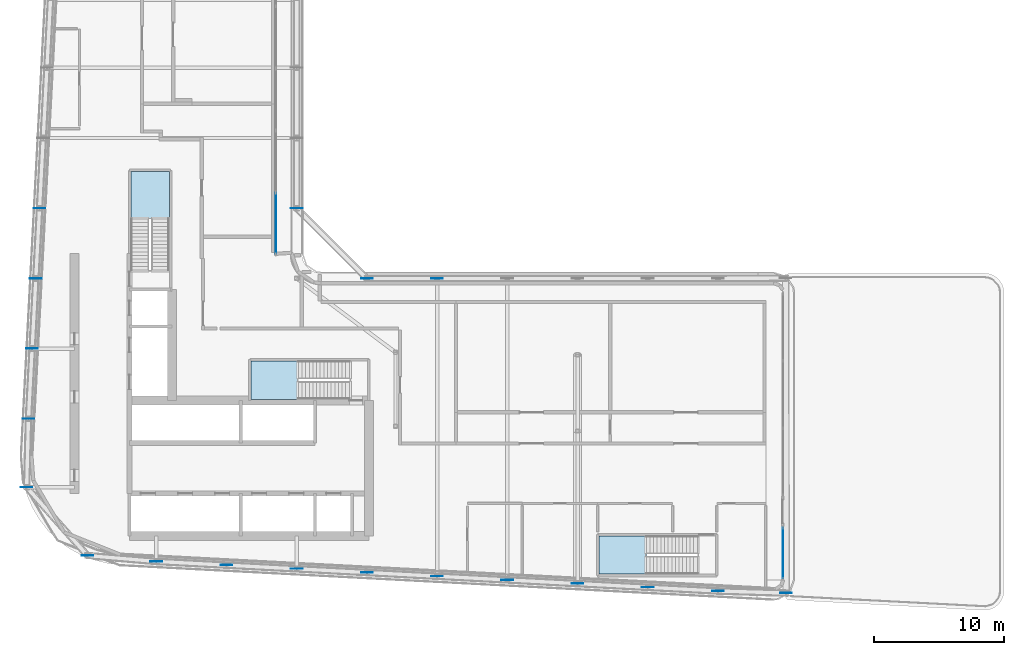
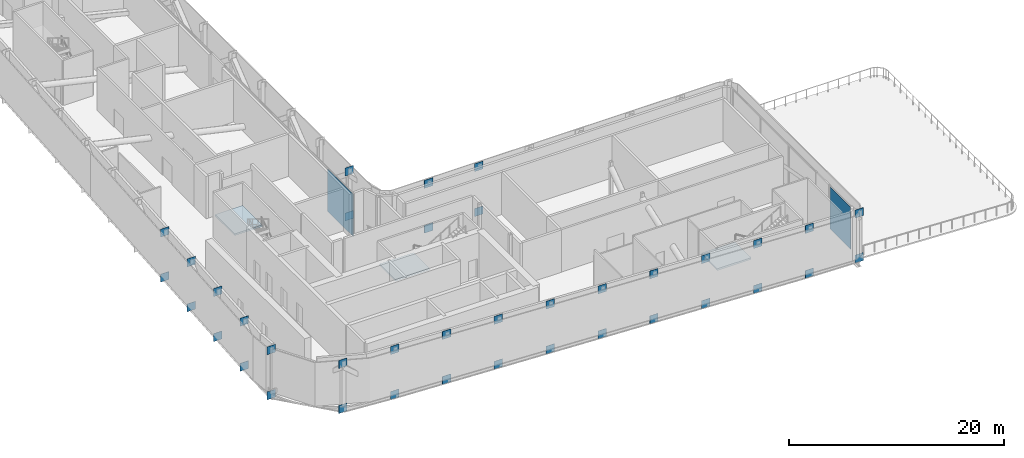
# One storey, part 8 of 23: 40 plates, 3 slabs, 5 elements without a shape of their own.
"""IFC4 building model written with IfcOpenShell, lengths in metres."""

from ifc_helpers import new_model, si_unit, direction, frame, origin, origin_2d, place, context, subcontext, project, spatial, polyline, rectangle, outline, extrude, material, layer, layer_set, type_object, element, aggregate, save


model = new_model("IFC4")

# Units and contexts
model_context = context("Model", 3, precision=1e-05, world=origin(), true_north=direction((0.0, 1.0)))
body_context = subcontext(model_context, "Body", "Model", "MODEL_VIEW")
ifc_project = project(units=[si_unit("LENGTHUNIT", "METRE"), si_unit("AREAUNIT", "SQUARE_METRE"), si_unit("VOLUMEUNIT", "CUBIC_METRE"), si_unit("PLANEANGLEUNIT", "RADIAN"), si_unit("MASSUNIT", "GRAM", prefix="KILO")], contexts=[model_context])

# Site, building, storey
site_placement = place(None, origin())
site = spatial("IfcSite", under=ifc_project, at=site_placement, CompositionType="ELEMENT")
building_placement = place(site_placement, origin())
building = spatial("IfcBuilding", under=site, at=building_placement, Name="Kheshtan School and Residences Tower", CompositionType="ELEMENT")
storey_placement = place(building_placement, frame((0.0, 0.0, 211.10009765625)))
storey = spatial("IfcBuildingStorey", under=building, at=storey_placement, Name="L49", CompositionType="ELEMENT", Elevation=211.10009765625)

# Curtain wall, plate
ifc_material_1 = material(Name="Clear low-e glass in thermally broken aluminium frame", Category="aluminium")
ifc_layer_1 = layer(ifc_material_1, 0.25)
ifc_layer_set_1 = layer_set([ifc_layer_1], Name="Curtain wall CW-G")
curtain_wall_type = type_object("IfcCurtainWallType", Name="Curtain wall CW-G", PredefinedType="NOTDEFINED", material=ifc_layer_set_1)
curtain_wall_1_placement = place(storey_placement, origin())
curtain_wall_1 = element("IfcCurtainWall", 1, at=curtain_wall_1_placement, inside=storey, type_object=curtain_wall_type, Name="Curtain wall CWG3a", PredefinedType="NOTDEFINED")
ifc_material_2 = material(Name="Insulated terracotta infill panel", Category="masonry")
ifc_layer_2 = layer(ifc_material_2, 0.0380859375)
ifc_layer_set_2 = layer_set([ifc_layer_2], Name="CW-G insulated infill panel")
plate_type_1 = type_object("IfcPlateType", Name="CW-G insulated infill panel", PredefinedType="CURTAIN_PANEL", material=ifc_layer_set_2)
plate_1_placement = place(storey_placement, frame((85.0, 24.467529296875, 0.0), z_axis=(0.0, 0.0, 1.0), x_axis=(0.0, -1.0, 0.0)))
plate_1 = element("IfcPlate", 2, at=plate_1_placement, type_object=plate_type_1, Name="CWG3a infill 1.1", PredefinedType="CURTAIN_PANEL", context=body_context, shape_type="SweptSolid", body=[
    extrude(rectangle(XDim=3.885009765625, YDim=0.0380859375, at=origin_2d()), origin(), (0.0, 0.0, 1.0), 4.7900390625),
])
aggregate(curtain_wall_1, [plate_1])

curtain_wall_2_placement = place(storey_placement, origin())
curtain_wall_2 = element("IfcCurtainWall", 3, at=curtain_wall_2_placement, inside=storey, type_object=curtain_wall_type, Name="Curtain wall CWG19a", PredefinedType="NOTDEFINED")
plate_2_placement = place(storey_placement, frame((46.0, 49.83203125, 0.0), z_axis=(0.0, 0.0, 1.0), x_axis=(0.0, -1.0, 0.0)))
plate_2 = element("IfcPlate", 4, at=plate_2_placement, type_object=plate_type_1, Name="CWG19a infill 5.1", PredefinedType="CURTAIN_PANEL", context=body_context, shape_type="SweptSolid", body=[
    extrude(rectangle(XDim=4.68408203125, YDim=0.0380859375, at=origin_2d()), origin(), (0.0, 0.0, 1.0), 4.7900390625),
])
aggregate(curtain_wall_2, [plate_2])

# Plates
ifc_material_3 = material(Name="Steel ASTM A992 Grade 50", Category="steel")
ifc_layer_3 = layer(ifc_material_3, 0.02490234375)
ifc_layer_set_3 = layer_set([ifc_layer_3], Name="Gusset plate 25 Steel ASTM A992 Grade 50")
plate_type_2 = type_object("IfcPlateType", Name="Gusset plate 25 Steel ASTM A992 Grade 50", PredefinedType="SHEET", material=ifc_layer_set_3)
for number, where, z_axis, x_axis, name in (
    (5, (47.60009765625, 51.0, 4.300048828125), (0.0, 0.0, 1.0), (1.0, 0.0, 0.0), "Gusset plate 14"),
    (6, (47.60009765625, 51.0, -0.800048828125), (0.0, 0.0, 1.0), (1.0, 0.0, 0.0), "Gusset plate 15"),
    (7, (53.0, 45.60009765625, 4.300048828125), (0.0, 0.0, 1.0), (1.0, 0.0, 0.0), "Gusset plate 16"),
    (8, (53.0, 45.60009765625, -0.800048828125), (0.0, 0.0, 1.0), (1.0, 0.0, 0.0), "Gusset plate 17"),
    (9, (58.39990234375, 45.60009765625, 4.300048828125), (0.0, 0.0, 1.0), (1.0, 0.0, 0.0), "Gusset plate 18"),
    (10, (58.39990234375, 45.60009765625, -0.800048828125), (0.0, 0.0, 1.0), (1.0, 0.0, 0.0), "Gusset plate 19"),
    (11, (85.243896484375, 21.39990234375, 4.300048828125), (0.0, 0.0, 1.0), (1.0, 0.0, 0.0), "Gusset plate 30"),
    (12, (85.243896484375, 21.39990234375, -0.800048828125), (0.0, 0.0, 1.0), (1.0, 0.0, 0.0), "Gusset plate 31"),
    (13, (80.0, 21.55810546875, 4.300048828125), (0.0, 0.0, 1.0), (1.0, 0.0, 0.0), "Gusset plate 32"),
    (14, (80.0, 21.55810546875, -0.800048828125), (0.0, 0.0, 1.0), (1.0, 0.0, 0.0), "Gusset plate 33"),
    (15, (74.60009765625, 21.843017578125, 4.300048828125), (0.0, 0.0, 1.0), (1.0, 0.0, 0.0), "Gusset plate 34"),
    (16, (74.60009765625, 21.843017578125, -0.800048828125), (0.0, 0.0, 1.0), (1.0, 0.0, 0.0), "Gusset plate 35"),
    (17, (69.199951171875, 22.126953125, 4.300048828125), (0.0, 0.0, 1.0), (1.0, 0.0, 0.0), "Gusset plate 36"),
    (18, (69.199951171875, 22.126953125, -0.800048828125), (0.0, 0.0, 1.0), (1.0, 0.0, 0.0), "Gusset plate 37"),
    (19, (63.800048828125, 22.410888671875, 4.300048828125), (0.0, 0.0, 1.0), (1.0, 0.0, 0.0), "Gusset plate 38"),
    (20, (63.800048828125, 22.410888671875, -0.800048828125), (0.0, 0.0, 1.0), (1.0, 0.0, 0.0), "Gusset plate 39"),
    (21, (58.39990234375, 22.695068359375, 4.300048828125), (0.0, 0.0, 1.0), (1.0, 0.0, 0.0), "Gusset plate 40"),
    (22, (58.39990234375, 22.695068359375, -0.800048828125), (0.0, 0.0, 1.0), (1.0, 0.0, 0.0), "Gusset plate 41"),
    (23, (53.0, 22.97998046875, 4.300048828125), (0.0, 0.0, 1.0), (1.0, 0.0, 0.0), "Gusset plate 42"),
    (24, (53.0, 22.97998046875, -0.800048828125), (0.0, 0.0, 1.0), (1.0, 0.0, 0.0), "Gusset plate 43"),
    (25, (47.60009765625, 23.263916015625, 4.300048828125), (0.0, 0.0, 1.0), (1.0, 0.0, 0.0), "Gusset plate 44"),
    (26, (47.60009765625, 23.263916015625, -0.800048828125), (0.0, 0.0, 1.0), (1.0, 0.0, 0.0), "Gusset plate 45"),
    (27, (42.199951171875, 23.548095703125, 4.300048828125), (0.0, 0.0, 1.0), (1.0, 0.0, 0.0), "Gusset plate 46"),
    (28, (42.199951171875, 23.548095703125, -0.800048828125), (0.0, 0.0, 1.0), (1.0, 0.0, 0.0), "Gusset plate 47"),
    (29, (36.800048828125, 23.83203125, 4.300048828125), (0.0, 0.0, 1.0), (1.0, 0.0, 0.0), "Gusset plate 48"),
    (30, (36.800048828125, 23.83203125, -0.800048828125), (0.0, 0.0, 1.0), (1.0, 0.0, 0.0), "Gusset plate 49"),
    (31, (31.510009765625, 24.282958984375, 4.300048828125), (0.0, 0.0, 1.0), (1.0, 0.0, 0.0), "Gusset plate 50"),
    (32, (31.510009765625, 24.282958984375, -0.800048828125), (0.0, 0.0, 1.0), (1.0, 0.0, 0.0), "Gusset plate 51"),
    (33, (26.830078125, 29.5380859375, 4.300048828125), (0.0, 0.0, 1.0), (1.0, 0.0, 0.0), "Gusset plate 52"),
    (34, (26.830078125, 29.5380859375, -0.800048828125), (0.0, 0.0, 1.0), (1.0, 0.0, 0.0), "Gusset plate 53"),
    (35, (26.968994140625, 34.800048828125, 4.300048828125), (0.0, 0.0, 1.0), (1.0, 0.0, 0.0), "Gusset plate 54"),
    (36, (26.968994140625, 34.800048828125, -0.800048828125), (0.0, 0.0, 1.0), (1.0, 0.0, 0.0), "Gusset plate 55"),
    (37, (27.2529296875, 40.199951171875, 4.300048828125), (0.0, 0.0, 1.0), (1.0, 0.0, 0.0), "Gusset plate 56"),
    (38, (27.2529296875, 40.199951171875, -0.800048828125), (0.0, 0.0, 1.0), (1.0, 0.0, 0.0), "Gusset plate 57"),
    (39, (27.537109375, 45.60009765625, 4.300048828125), (0.0, 0.0, 1.0), (1.0, 0.0, 0.0), "Gusset plate 58"),
    (40, (27.537109375, 45.60009765625, -0.800048828125), (0.0, 0.0, 1.0), (1.0, 0.0, 0.0), "Gusset plate 59"),
    (41, (27.822021484375, 51.0, 4.300048828125), (0.0, 0.0, 1.0), (1.0, 0.0, 0.0), "Gusset plate 60"),
    (42, (27.822021484375, 51.0, -0.800048828125), (0.0, 0.0, 1.0), (1.0, 0.0, 0.0), "Gusset plate 61"),
):
    element("IfcPlate", number, at=place(storey_placement, frame(where, z_axis=z_axis, x_axis=x_axis)), inside=storey, type_object=plate_type_2, Name=name, PredefinedType="SHEET", context=body_context, shape_type="SweptSolid", body=[
        extrude(rectangle(XDim=0.89990234375, YDim=0.02490234375, at=origin_2d()), origin(), (0.0, 0.0, 1.0), 0.89990234375),
    ])

# Stair, slab
ifc_material_4 = material(Name="Concrete C40/50", Category="concrete")
stair_type = type_object("IfcStairType", Name="Exit stair, half-turn", PredefinedType="HALF_TURN_STAIR", material=ifc_material_4)
stair_1_placement = place(storey_placement, origin())
stair_1 = element("IfcStair", 43, at=stair_1_placement, inside=storey, type_object=stair_type, Name="L49 Protected Exit Stair ST1", PredefinedType="HALF_TURN_STAIR")
ifc_layer_4 = layer(ifc_material_4, 0.199951171875)
ifc_layer_set_4 = layer_set([ifc_layer_4], Name="Stair landing 200 Concrete C40/50")
slab_type = type_object("IfcSlabType", Name="Stair landing 200 Concrete C40/50", PredefinedType="LANDING", material=ifc_layer_set_4)
slab_1_placement = place(storey_placement, frame((0.0, 0.0, 2.349853515625)))
slab_1 = element("IfcSlab", 44, at=slab_1_placement, type_object=slab_type, Name="ST1 landing 1", PredefinedType="LANDING", context=body_context, shape_type="SweptSolid", body=[
    extrude(outline(polyline([(47.72998046875, 39.25), (44.090087890625, 39.25), (44.090087890625, 36.300048828125), (47.72998046875, 36.300048828125), (47.72998046875, 39.25)])), origin(), (0.0, 0.0, 1.0), 0.199951171875),
])
aggregate(stair_1, [slab_1])

stair_2_placement = place(storey_placement, origin())
stair_2 = element("IfcStair", 45, at=stair_2_placement, inside=storey, type_object=stair_type, Name="L49 Protected Exit Stair ST2", PredefinedType="HALF_TURN_STAIR")
slab_2_placement = place(storey_placement, frame((0.0, 0.0, 2.349853515625)))
slab_2 = element("IfcSlab", 46, at=slab_2_placement, type_object=slab_type, Name="ST2 landing 1", PredefinedType="LANDING", context=body_context, shape_type="SweptSolid", body=[
    extrude(outline(polyline([(37.800048828125, 50.169921875), (37.800048828125, 53.81005859375), (34.85009765625, 53.81005859375), (34.85009765625, 50.169921875), (37.800048828125, 50.169921875)])), origin(), (0.0, 0.0, 1.0), 0.199951171875),
])
aggregate(stair_2, [slab_2])

stair_3_placement = place(storey_placement, origin())
stair_3 = element("IfcStair", 47, at=stair_3_placement, inside=storey, type_object=stair_type, Name="L49 Protected Exit Stair ST5", PredefinedType="HALF_TURN_STAIR")
slab_3_placement = place(storey_placement, frame((0.0, 0.0, 2.349853515625)))
slab_3 = element("IfcSlab", 48, at=slab_3_placement, type_object=slab_type, Name="ST5 landing 1", PredefinedType="LANDING", context=body_context, shape_type="SweptSolid", body=[
    extrude(outline(polyline([(74.489990234375, 25.800048828125), (70.85009765625, 25.800048828125), (70.85009765625, 22.85009765625), (74.489990234375, 22.85009765625), (74.489990234375, 25.800048828125)])), origin(), (0.0, 0.0, 1.0), 0.199951171875),
])
aggregate(stair_3, [slab_3])

save(model, "model.ifc")
